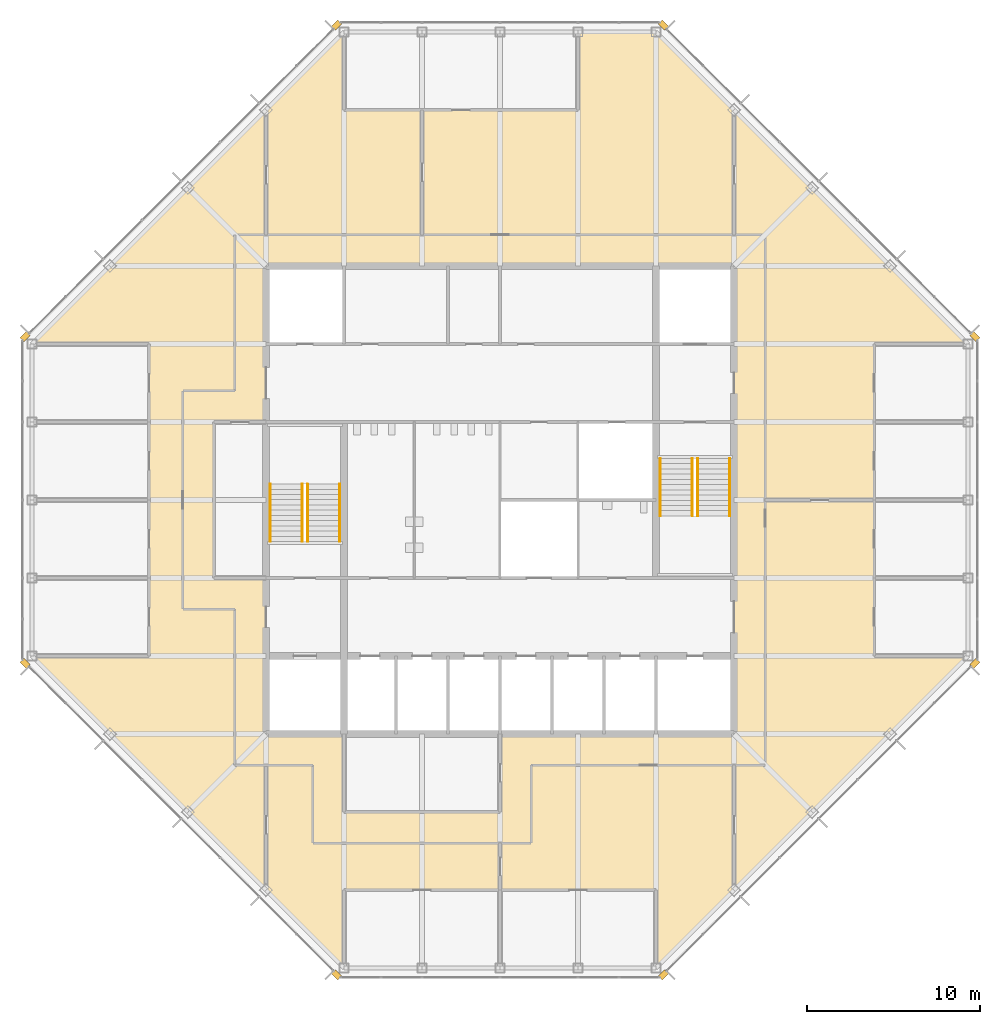
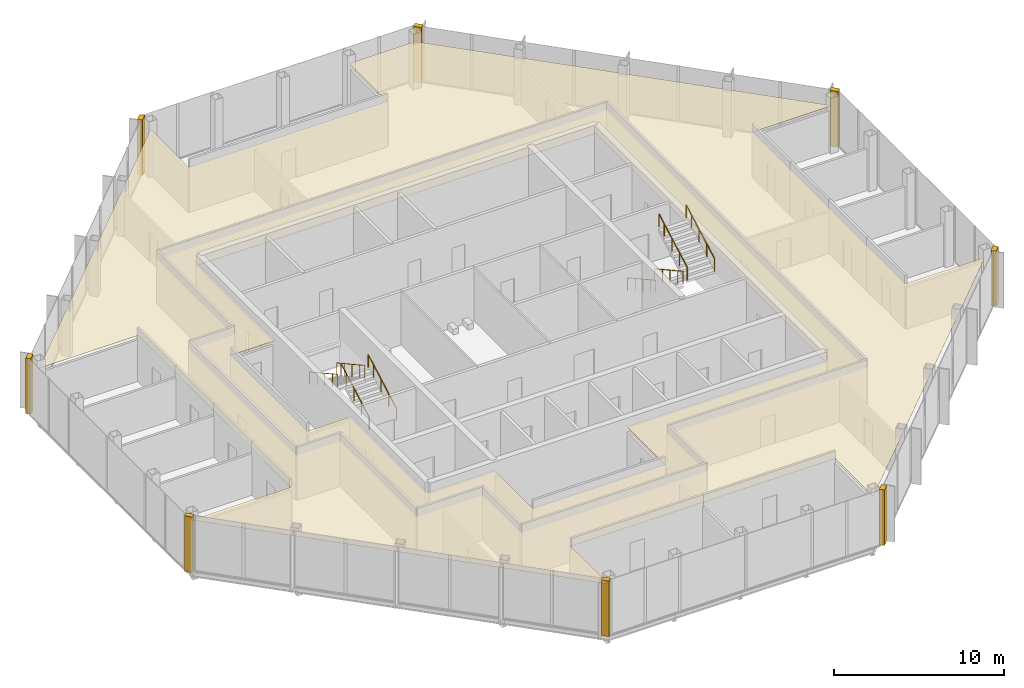
# One storey, part 13 of 14: 9 coverings, 8 railings.
"""IFC4 building model written with IfcOpenShell, lengths in metres."""

from ifc_helpers import new_model, si_unit, direction, frame, origin, origin_2d, place, context, subcontext, project, spatial, polyline, circle, outline, extrude, material, layer, layer_set, type_object, element, save


model = new_model("IFC4")

# Units and contexts
model_context = context("Model", 3, precision=1e-05, world=origin(), true_north=direction((0.0, 1.0)))
body_context = subcontext(model_context, "Body", "Model", "MODEL_VIEW")
ifc_project = project(units=[si_unit("LENGTHUNIT", "METRE"), si_unit("AREAUNIT", "SQUARE_METRE"), si_unit("VOLUMEUNIT", "CUBIC_METRE"), si_unit("PLANEANGLEUNIT", "RADIAN"), si_unit("MASSUNIT", "GRAM", prefix="KILO")], contexts=[model_context])

# Site, building, storey
site_placement = place(None, origin())
site = spatial("IfcSite", under=ifc_project, at=site_placement, CompositionType="ELEMENT")
building_placement = place(site_placement, origin())
building = spatial("IfcBuilding", under=site, at=building_placement, Name="Corais Broadcast Tower", CompositionType="ELEMENT")
storey_placement = place(building_placement, frame((0.0, 0.0, 294.60009765625)))
storey = spatial("IfcBuildingStorey", under=building, at=storey_placement, Name="L69", CompositionType="ELEMENT", Elevation=294.60009765625)

# Railings
ifc_material_1 = material(Name="Stainless steel handrail", Category="steel")
railing_type = type_object("IfcRailingType", Name="Handrail 920", PredefinedType="HANDRAIL", material=ifc_material_1)
for number, where, name in (
    (1, (17.75, 24.60009765625, 0.16650390625), "HR1 L69"),
    (2, (15.89990234375, 24.60009765625, 0.16650390625), "HR1 L69"),
):
    element("IfcRailing", number, at=place(storey_placement, frame(where)), inside=storey, type_object=railing_type, Name=name, PredefinedType="HANDRAIL", context=body_context, shape_type="SweptSolid", body=[
        extrude(circle(Radius=0.02392578125, at=origin_2d()), frame((0.0, 0.0, 0.89599609375), z_axis=(0.0, 0.875504475178, 0.483210010185), x_axis=(-1.0, 0.0, 0.0)), (0.0, 0.0, 1.0), 3.79443359375),
        extrude(circle(Radius=0.02099609375, at=origin_2d()), origin(), (0.0, 0.0, 1.0), 0.871826171875),
        extrude(circle(Radius=0.02099609375, at=origin_2d()), frame((0.0, 0.906005859375, 0.5)), (0.0, 0.0, 1.0), 0.871826171875),
        extrude(circle(Radius=0.02099609375, at=origin_2d()), frame((0.0, 1.81201171875, 1.0)), (0.0, 0.0, 1.0), 0.871826171875),
        extrude(circle(Radius=0.02099609375, at=origin_2d()), frame((0.0, 2.718017578125, 1.500244140625)), (0.0, 0.0, 1.0), 0.871826171875),
        extrude(circle(Radius=0.02099609375, at=origin_2d()), frame((0.0, 3.322021484375, 1.83349609375)), (0.0, 0.0, 1.0), 0.871826171875),
    ])
for number, where, name in (
    (3, (13.75, 27.922119140625, 2.16650390625), "HR1 L69"),
    (4, (15.60009765625, 27.922119140625, 2.16650390625), "HR1 L69"),
    (5, (36.25, 29.39990234375, 0.16650390625), "HR1 L69"),
    (6, (38.10009765625, 29.39990234375, 0.16650390625), "HR1 L69"),
):
    element("IfcRailing", number, at=place(storey_placement, frame(where)), inside=storey, type_object=railing_type, Name=name, PredefinedType="HANDRAIL", context=body_context, shape_type="SweptSolid", body=[
        extrude(circle(Radius=0.02392578125, at=origin_2d()), frame((0.0, 0.0, 0.89599609375), z_axis=(0.0, -0.875504475178, 0.483210010185), x_axis=(1.0, 0.0, 0.0)), (0.0, 0.0, 1.0), 3.79443359375),
        extrude(circle(Radius=0.02099609375, at=origin_2d()), origin(), (0.0, 0.0, 1.0), 0.871826171875),
        extrude(circle(Radius=0.02099609375, at=origin_2d()), frame((0.0, -0.906005859375, 0.5)), (0.0, 0.0, 1.0), 0.871826171875),
        extrude(circle(Radius=0.02099609375, at=origin_2d()), frame((0.0, -1.81201171875, 1.0)), (0.0, 0.0, 1.0), 0.871826171875),
        extrude(circle(Radius=0.02099609375, at=origin_2d()), frame((0.0, -2.718017578125, 1.500244140625)), (0.0, 0.0, 1.0), 0.871826171875),
        extrude(circle(Radius=0.02099609375, at=origin_2d()), frame((0.0, -3.322021484375, 1.83349609375)), (0.0, 0.0, 1.0), 0.871826171875),
    ])
for number, where, name in (
    (7, (40.25, 26.077880859375, 2.16650390625), "HR1 L69"),
    (8, (38.39990234375, 26.077880859375, 2.16650390625), "HR1 L69"),
):
    element("IfcRailing", number, at=place(storey_placement, frame(where)), inside=storey, type_object=railing_type, Name=name, PredefinedType="HANDRAIL", context=body_context, shape_type="SweptSolid", body=[
        extrude(circle(Radius=0.02392578125, at=origin_2d()), frame((0.0, 0.0, 0.89599609375), z_axis=(0.0, 0.875504475178, 0.483210010185), x_axis=(-1.0, 0.0, 0.0)), (0.0, 0.0, 1.0), 3.79443359375),
        extrude(circle(Radius=0.02099609375, at=origin_2d()), origin(), (0.0, 0.0, 1.0), 0.871826171875),
        extrude(circle(Radius=0.02099609375, at=origin_2d()), frame((0.0, 0.906005859375, 0.5)), (0.0, 0.0, 1.0), 0.871826171875),
        extrude(circle(Radius=0.02099609375, at=origin_2d()), frame((0.0, 1.81201171875, 1.0)), (0.0, 0.0, 1.0), 0.871826171875),
        extrude(circle(Radius=0.02099609375, at=origin_2d()), frame((0.0, 2.718017578125, 1.500244140625)), (0.0, 0.0, 1.0), 0.871826171875),
        extrude(circle(Radius=0.02099609375, at=origin_2d()), frame((0.0, 3.322021484375, 1.83349609375)), (0.0, 0.0, 1.0), 0.871826171875),
    ])

# Coverings
ifc_material_2 = material(Name="Granite stone cladding", Category="masonry")
ifc_layer_1 = layer(ifc_material_2, 0.324951171875)
ifc_layer_set_1 = layer_set([ifc_layer_1], Name="Granite stone cladding")
covering_type_1 = type_object("IfcCoveringType", Name="Stone corner pier cladding 500x325", PredefinedType="CLADDING", material=ifc_layer_set_1)
covering_1_placement = place(storey_placement, origin())
element("IfcCovering", 9, at=covering_1_placement, inside=storey, type_object=covering_type_1, Name="SP1 stone corner pier L69", PredefinedType="CLADDING", context=body_context, shape_type="SweptSolid", body=[
    extrude(outline(polyline([(17.860595703125, -0.461669921875), (17.507080078125, -0.108154296875), (17.277099609375, -0.337890625), (17.630859375, -0.69140625), (17.860595703125, -0.461669921875)])), origin(), (0.0, 0.0, 1.0), 4.0),
])
covering_2_placement = place(storey_placement, origin())
element("IfcCovering", 10, at=covering_2_placement, inside=storey, type_object=covering_type_1, Name="SP1 stone corner pier L69", PredefinedType="CLADDING", context=body_context, shape_type="SweptSolid", body=[
    extrude(outline(polyline([(-0.461669921875, 17.860595703125), (-0.69140625, 17.630859375), (-0.337890625, 17.277099609375), (-0.108154296875, 17.507080078125), (-0.461669921875, 17.860595703125)])), origin(), (0.0, 0.0, 1.0), 4.0),
])
covering_3_placement = place(storey_placement, origin())
element("IfcCovering", 11, at=covering_3_placement, inside=storey, type_object=covering_type_1, Name="SP1 stone corner pier L69", PredefinedType="CLADDING", context=body_context, shape_type="SweptSolid", body=[
    extrude(outline(polyline([(-0.461669921875, 36.139404296875), (-0.108154296875, 36.492919921875), (-0.337890625, 36.722900390625), (-0.69140625, 36.369140625), (-0.461669921875, 36.139404296875)])), origin(), (0.0, 0.0, 1.0), 4.0),
])
covering_4_placement = place(storey_placement, origin())
element("IfcCovering", 12, at=covering_4_placement, inside=storey, type_object=covering_type_1, Name="SP1 stone corner pier L69", PredefinedType="CLADDING", context=body_context, shape_type="SweptSolid", body=[
    extrude(outline(polyline([(17.860595703125, 54.461669921875), (17.630859375, 54.69140625), (17.277099609375, 54.337890625), (17.507080078125, 54.108154296875), (17.860595703125, 54.461669921875)])), origin(), (0.0, 0.0, 1.0), 4.0),
])
covering_5_placement = place(storey_placement, origin())
element("IfcCovering", 13, at=covering_5_placement, inside=storey, type_object=covering_type_1, Name="SP1 stone corner pier L69", PredefinedType="CLADDING", context=body_context, shape_type="SweptSolid", body=[
    extrude(outline(polyline([(36.139404296875, 54.461669921875), (36.492919921875, 54.108154296875), (36.722900390625, 54.337890625), (36.369140625, 54.69140625), (36.139404296875, 54.461669921875)])), origin(), (0.0, 0.0, 1.0), 4.0),
])
covering_6_placement = place(storey_placement, origin())
element("IfcCovering", 14, at=covering_6_placement, inside=storey, type_object=covering_type_1, Name="SP1 stone corner pier L69", PredefinedType="CLADDING", context=body_context, shape_type="SweptSolid", body=[
    extrude(outline(polyline([(54.461669921875, 36.139404296875), (54.69140625, 36.369140625), (54.337890625, 36.722900390625), (54.108154296875, 36.492919921875), (54.461669921875, 36.139404296875)])), origin(), (0.0, 0.0, 1.0), 4.0),
])
covering_7_placement = place(storey_placement, origin())
element("IfcCovering", 15, at=covering_7_placement, inside=storey, type_object=covering_type_1, Name="SP1 stone corner pier L69", PredefinedType="CLADDING", context=body_context, shape_type="SweptSolid", body=[
    extrude(outline(polyline([(54.461669921875, 17.860595703125), (54.108154296875, 17.507080078125), (54.337890625, 17.277099609375), (54.69140625, 17.630859375), (54.461669921875, 17.860595703125)])), origin(), (0.0, 0.0, 1.0), 4.0),
])
covering_8_placement = place(storey_placement, origin())
element("IfcCovering", 16, at=covering_8_placement, inside=storey, type_object=covering_type_1, Name="SP1 stone corner pier L69", PredefinedType="CLADDING", context=body_context, shape_type="SweptSolid", body=[
    extrude(outline(polyline([(36.139404296875, -0.461669921875), (36.369140625, -0.69140625), (36.722900390625, -0.337890625), (36.492919921875, -0.108154296875), (36.139404296875, -0.461669921875)])), origin(), (0.0, 0.0, 1.0), 4.0),
])
ifc_material_3 = material(Name="Mineral fibre ceiling tile", Category="mineral")
ifc_layer_2 = layer(ifc_material_3, 0.02001953125)
ifc_layer_set_2 = layer_set([ifc_layer_2], Name="Mineral fibre ceiling tile")
covering_type_2 = type_object("IfcCoveringType", Name="Suspended ceiling", PredefinedType="CEILING", material=ifc_layer_set_2)
covering_9_placement = place(storey_placement, frame((0.0, 0.0, 3.219970703125)))
element("IfcCovering", 17, at=covering_9_placement, inside=storey, type_object=covering_type_2, Name="CE1 ceiling L69", PredefinedType="CEILING", context=body_context, shape_type="SweptSolid", body=[
    extrude(outline(polyline([(13.5, 49.5), (18.0, 54.0), (18.0, 49.5), (31.5, 49.5), (31.5, 54.0), (36.0, 54.0), (54.0, 36.0), (48.60009765625, 36.0), (48.60009765625, 18.0), (54.0, 18.0), (40.500244140625, 4.500244140625), (40.49853515625, 4.49853515625), (40.498291015625, 4.498291015625), (36.0, 0.0), (36.0, 4.5), (18.0, 4.5), (18.0, 0.0), (13.501708984375, 4.498291015625), (13.499755859375, 4.500244140625), (0.0, 18.0), (6.75, 18.0), (6.75, 36.0), (0.0, 36.0), (13.5, 49.5)]), holes=[polyline([(13.5, 40.5), (13.5, 31.5), (10.5, 31.5), (10.5, 22.5), (13.5, 22.5), (13.5, 13.5), (18.0, 13.5), (18.0, 9.0), (27.0, 9.0), (27.0, 13.5), (40.5, 13.5), (40.5, 40.5), (13.5, 40.5)])]), origin(), (0.0, 0.0, 1.0), 0.02001953125),
])

save(model, "model.ifc")
